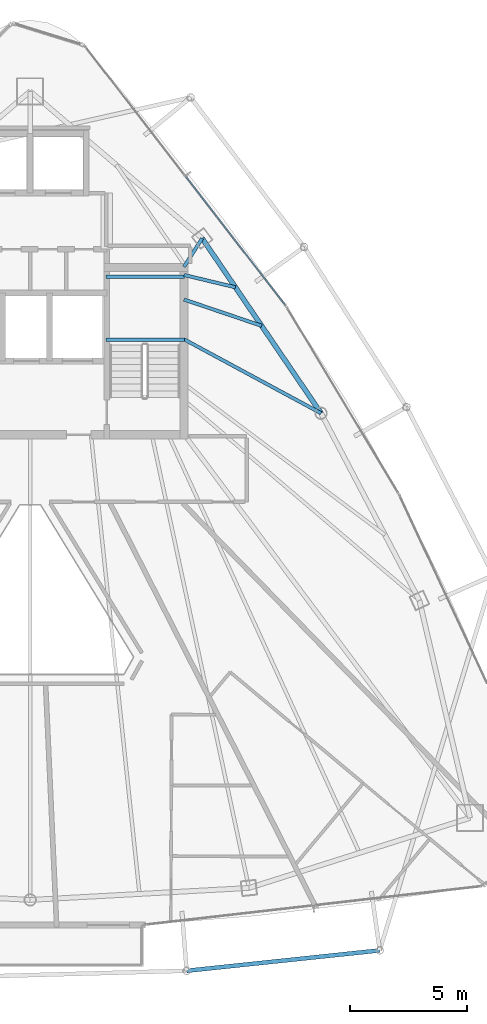
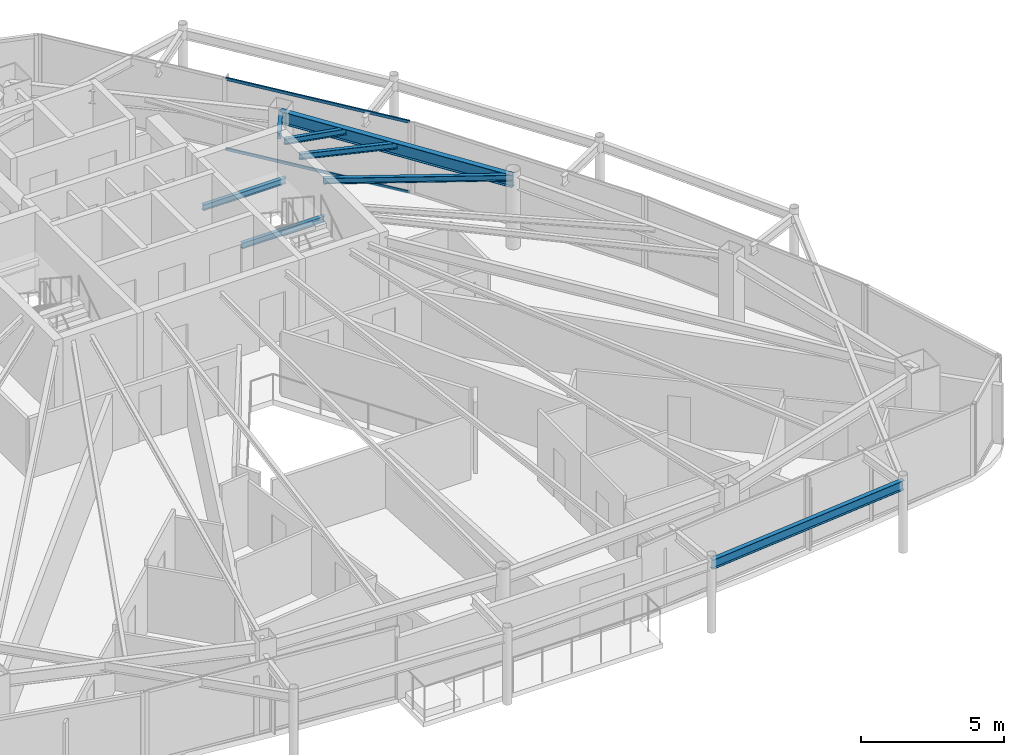
# One storey, part 13 of 30: 8 beams, 2 members, 1 element without a shape of its own.
"""IFC4 building model written with IfcOpenShell, lengths in metres."""

from ifc_helpers import new_model, si_unit, direction, frame, origin, origin_2d, place, context, subcontext, project, spatial, hollow_rectangle, i_section, extrude, material, layer, layer_set, material_profile, profile_set, type_object, element, aggregate, save


model = new_model("IFC4")

# Units and contexts
model_context = context("Model", 3, precision=1e-05, world=origin(), true_north=direction((0.0, 1.0)))
body_context = subcontext(model_context, "Body", "Model", "MODEL_VIEW")
ifc_project = project(units=[si_unit("LENGTHUNIT", "METRE"), si_unit("AREAUNIT", "SQUARE_METRE"), si_unit("VOLUMEUNIT", "CUBIC_METRE"), si_unit("PLANEANGLEUNIT", "RADIAN"), si_unit("MASSUNIT", "GRAM", prefix="KILO")], contexts=[model_context])

# Site, building, storey
site_placement = place(None, origin())
site = spatial("IfcSite", under=ifc_project, at=site_placement, CompositionType="ELEMENT")
building_placement = place(site_placement, origin())
building = spatial("IfcBuilding", under=site, at=building_placement, Name="Orvanel Arch Residences", CompositionType="ELEMENT")
storey_placement = place(building_placement, frame((0.0, 0.0, 270.050048828125)))
storey = spatial("IfcBuildingStorey", under=building, at=storey_placement, Name="L77", CompositionType="ELEMENT", Elevation=270.050048828125)

# Beams
ifc_material_1 = material(Name="Structural steel AS/NZS 3679.1 Grade 300 (300 MPa)", Category="steel")
ifc_material_profile_1 = material_profile(ifc_material_1, i_section(OverallWidth=0.14599609375, OverallDepth=0.251953125, WebThickness=0.006103515625, FlangeThickness=0.008544921875, at=origin_2d()), Name="250UB31.4")
ifc_profile_set_1 = profile_set([ifc_material_profile_1], Name="Structural steel AS/NZS 3679.1 Grade 300 (300 MPa)")
beam_type_1 = type_object("IfcBeamType", Name="BJ-250UB", PredefinedType="JOIST", material=ifc_profile_set_1)
for number, where, z_axis, x_axis, name in (
    (1, (36.25, 30.780029296875, 1.323974609375), (1.0, 0.0, 0.0), (0.0, 1.0, 0.0), "L77 ST-2 Half-Landing Support Beam 1.1"),
    (2, (36.25, 33.47998046875, 1.323974609375), (1.0, 0.0, 0.0), (0.0, 1.0, 0.0), "L77 ST-2 Half-Landing Support Beam 1.2"),
):
    element("IfcBeam", number, at=place(storey_placement, frame(where, z_axis=z_axis, x_axis=x_axis)), inside=storey, type_object=beam_type_1, Name=name, PredefinedType="JOIST", context=body_context, shape_type="SweptSolid", body=[
        extrude(i_section(OverallWidth=0.14599609375, OverallDepth=0.251953125, WebThickness=0.006103515625, FlangeThickness=0.008544921875, at=origin_2d()), origin(), (0.0, 0.0, 1.0), 3.35009765625),
    ])
beam_1_placement = place(storey_placement, frame((39.574951171875, 33.89990234375, 2.933837890625), z_axis=(0.539395075146, 0.842052820735, 0.0), x_axis=(-0.842052820735, 0.539395075146, 0.0)))
element("IfcBeam", 3, at=beam_1_placement, inside=storey, type_object=beam_type_1, Name="L77 NNE Wing Floor Joist", PredefinedType="JOIST", context=body_context, shape_type="SweptSolid", body=[
    extrude(i_section(OverallWidth=0.14599609375, OverallDepth=0.251953125, WebThickness=0.006103515625, FlangeThickness=0.008544921875, at=origin_2d()), origin(), (0.0, 0.0, 1.0), 1.440673828125),
])
beam_2_placement = place(storey_placement, frame((39.574951171875, 30.800048828125, 2.933837890625), z_axis=(0.880111494021, -0.474767056664, 0.0), x_axis=(0.474767056664, 0.880111494021, 0.0)))
element("IfcBeam", 4, at=beam_2_placement, inside=storey, type_object=beam_type_1, Name="L77 NE Wing Floor Joist", PredefinedType="JOIST", context=body_context, shape_type="SweptSolid", body=[
    extrude(i_section(OverallWidth=0.14599609375, OverallDepth=0.251953125, WebThickness=0.006103515625, FlangeThickness=0.008544921875, at=origin_2d()), origin(), (0.0, 0.0, 1.0), 6.653564453125),
])
beam_3_placement = place(storey_placement, frame((39.574951171875, 32.5, 2.933837890625), z_axis=(0.947159269453, -0.320763648641, 0.0), x_axis=(0.320763648641, 0.947159269453, 0.0)))
element("IfcBeam", 5, at=beam_3_placement, inside=storey, type_object=beam_type_1, Name="L77 ENE Wing Floor Joist", PredefinedType="JOIST", context=body_context, shape_type="SweptSolid", body=[
    extrude(i_section(OverallWidth=0.14599609375, OverallDepth=0.251953125, WebThickness=0.006103515625, FlangeThickness=0.008544921875, at=origin_2d()), origin(), (0.0, 0.0, 1.0), 3.501220703125),
])
beam_4_placement = place(storey_placement, frame((39.574951171875, 33.550048828125, 2.933837890625), z_axis=(0.972256833016, -0.23391590509, 0.0), x_axis=(0.23391590509, 0.972256833016, 0.0)))
element("IfcBeam", 6, at=beam_4_placement, inside=storey, type_object=beam_type_1, Name="L77 JADD4 Wing Floor Joist", PredefinedType="JOIST", context=body_context, shape_type="SweptSolid", body=[
    extrude(i_section(OverallWidth=0.14599609375, OverallDepth=0.251953125, WebThickness=0.006103515625, FlangeThickness=0.008544921875, at=origin_2d()), origin(), (0.0, 0.0, 1.0), 2.26171875),
])
ifc_material_profile_2 = material_profile(ifc_material_1, i_section(OverallWidth=0.177978515625, OverallDepth=0.406005859375, WebThickness=0.0078125, FlangeThickness=0.0126953125, at=origin_2d()), Name="410UB59.7")
ifc_profile_set_2 = profile_set([ifc_material_profile_2], Name="Structural steel AS/NZS 3679.1 Grade 300 (300 MPa)")
beam_type_2 = type_object("IfcBeamType", Name="OB-410UB-EXT", PredefinedType="SPANDREL", material=ifc_profile_set_2)
beam_5_placement = place(storey_placement, frame((39.68994140625, 3.81591796875, 2.85693359375), z_axis=(0.994484146315, 0.104886999807, 0.0), x_axis=(-0.104886999807, 0.994484146315, 0.0)))
element("IfcBeam", 7, at=beam_5_placement, inside=storey, type_object=beam_type_2, Name="L77 Outer Perimeter Floor Ring Beam 07", PredefinedType="SPANDREL", context=body_context, shape_type="SweptSolid", body=[
    extrude(i_section(OverallWidth=0.177978515625, OverallDepth=0.406005859375, WebThickness=0.0078125, FlangeThickness=0.0126953125, at=origin_2d()), origin(), (0.0, 0.0, 1.0), 8.295654296875),
])
ifc_material_profile_3 = material_profile(ifc_material_1, i_section(OverallWidth=0.208984375, OverallDepth=0.532958984375, WebThickness=0.01025390625, FlangeThickness=0.015625, at=origin_2d()), Name="530UB92.4")
ifc_profile_set_3 = profile_set([ifc_material_profile_3], Name="Structural steel AS/NZS 3679.1 Grade 300 (300 MPa)")
beam_type_3 = type_object("IfcBeamType", Name="SP-530UB", PredefinedType="SPANDREL", material=ifc_profile_set_3)
beam_6_placement = place(storey_placement, frame((45.430908203125, 27.64111328125, 2.7939453125), z_axis=(-0.562154793153, 0.827032035978, 0.0), x_axis=(-0.827032035978, -0.562154793153, 0.0)))
element("IfcBeam", 8, at=beam_6_placement, inside=storey, type_object=beam_type_3, Name="L77 Perimeter Spandrel Beam 08", PredefinedType="SPANDREL", context=body_context, shape_type="SweptSolid", body=[
    extrude(i_section(OverallWidth=0.208984375, OverallDepth=0.532958984375, WebThickness=0.01025390625, FlangeThickness=0.015625, at=origin_2d()), origin(), (0.0, 0.0, 1.0), 9.03466796875),
])

# Curtain wall, members
ifc_material_2 = material(Name="Bronze-anodised aluminium AA6063-T6", Category="aluminium")
ifc_layer = layer(ifc_material_2, 0.175048828125)
ifc_layer_set = layer_set([ifc_layer], Name="Bronze-anodised aluminium AA6063-T6")
curtain_wall_type = type_object("IfcCurtainWallType", Name="CW4-HI-SYS", PredefinedType="NOTDEFINED", material=ifc_layer_set)
curtain_wall_placement = place(storey_placement, origin())
curtain_wall = element("IfcCurtainWall", 9, at=curtain_wall_placement, inside=storey, type_object=curtain_wall_type, Name="L77 CW4-HI-SYS Unitised Curtain Wall", PredefinedType="NOTDEFINED")
ifc_material_profile_4 = material_profile(ifc_material_2, hollow_rectangle(XDim=0.06005859375, YDim=0.1201171875, WallThickness=0.00341796875, at=origin_2d()), Name="ALU120x60x3.5")
ifc_profile_set_4 = profile_set([ifc_material_profile_4], Name="Bronze-anodised aluminium AA6063-T6")
member_type = type_object("IfcMemberType", Name="TRN-120x60", PredefinedType="USERDEFINED", material=ifc_profile_set_4)
member_1_placement = place(storey_placement, frame((43.904296875, 32.262451171875, 0.030029296875), z_axis=(-0.611807797407, 0.791006459539, 0.0), x_axis=(-0.791006459539, -0.611807797407, 0.0)))
member_1 = element("IfcMember", 10, at=member_1_placement, type_object=member_type, Name="CW-S4 transom 1.1", ObjectType="TRANSOM", PredefinedType="USERDEFINED", context=body_context, shape_type="SweptSolid", body=[
    extrude(hollow_rectangle(XDim=0.06005859375, YDim=0.1201171875, WallThickness=0.00341796875, at=origin_2d()), origin(), (0.0, 0.0, 1.0), 6.94140625),
])
member_2_placement = place(storey_placement, frame((43.904296875, 32.262451171875, 3.030029296875), z_axis=(-0.611807797407, 0.791006459539, 0.0), x_axis=(-0.791006459539, -0.611807797407, 0.0)))
member_2 = element("IfcMember", 11, at=member_2_placement, type_object=member_type, Name="CW-S4 transom 1.2", ObjectType="TRANSOM", PredefinedType="USERDEFINED", context=body_context, shape_type="SweptSolid", body=[
    extrude(hollow_rectangle(XDim=0.06005859375, YDim=0.1201171875, WallThickness=0.00341796875, at=origin_2d()), origin(), (0.0, 0.0, 1.0), 6.94140625),
])
aggregate(curtain_wall, [member_1, member_2])

save(model, "model.ifc")
